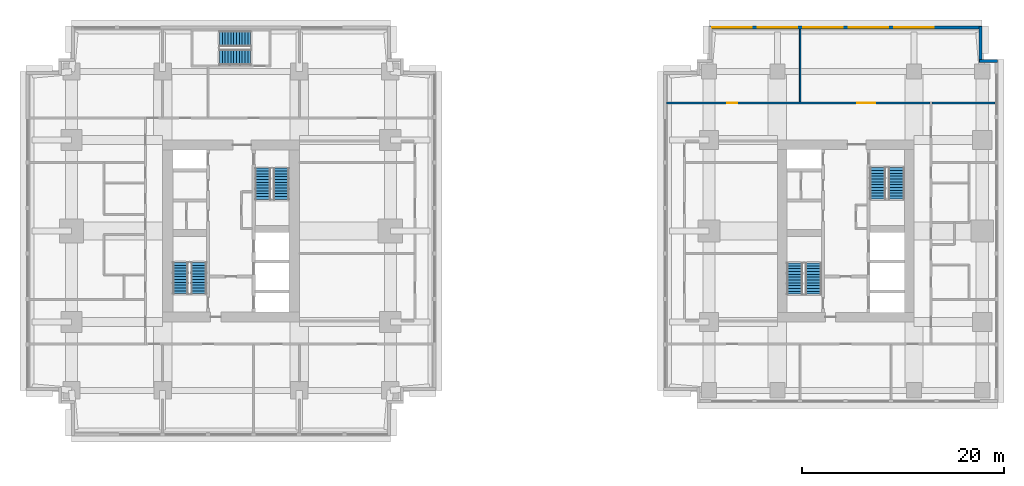
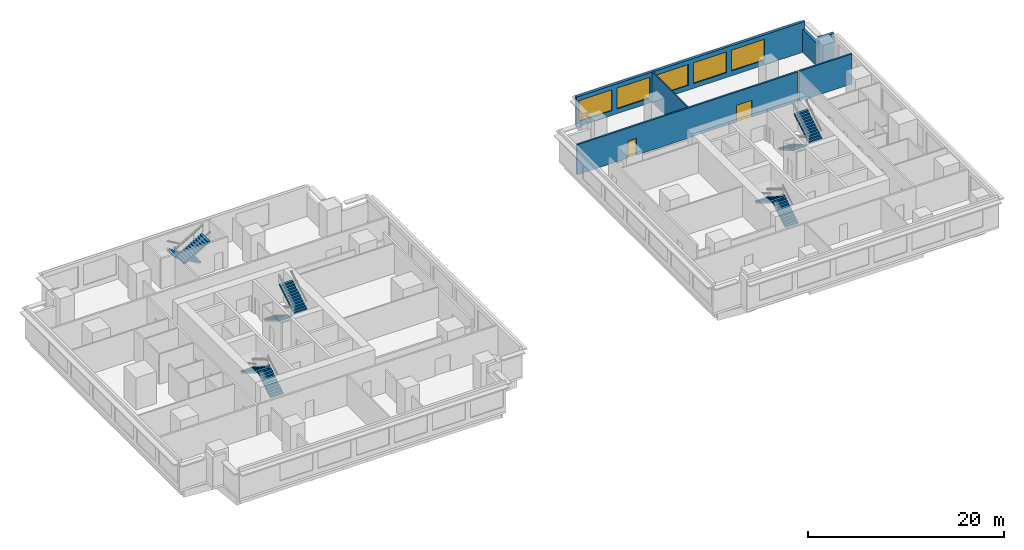
# One storey, part 8 of 10: 10 stair flights, 6 walls, 5 windows, 2 doors, 7 openings, 5 elements without a shape of their own.
"""IFC4 building model written with IfcOpenShell, lengths in metres."""

from ifc_helpers import new_model, si_unit, direction, frame, frame_2d, origin, place, context, subcontext, project, spatial, polyline, rectangle, outline, extrude, material, layer, layer_set, type_object, element, fill, aggregate, save


model = new_model("IFC4")

# Units and contexts
model_context = context("Model", 3, precision=1e-05, world=origin(), true_north=direction((0.0, 1.0)))
body_context = subcontext(model_context, "Body", "Model", "MODEL_VIEW")
ifc_project = project(units=[si_unit("LENGTHUNIT", "METRE"), si_unit("AREAUNIT", "SQUARE_METRE"), si_unit("VOLUMEUNIT", "CUBIC_METRE"), si_unit("PLANEANGLEUNIT", "RADIAN"), si_unit("MASSUNIT", "GRAM", prefix="KILO")], contexts=[model_context])

# Site, building, storey
site_placement = place(None, origin())
site = spatial("IfcSite", under=ifc_project, at=site_placement, CompositionType="ELEMENT")
building_placement = place(site_placement, origin())
building = spatial("IfcBuilding", under=site, at=building_placement, Name="Namib Vertical Campus", CompositionType="ELEMENT")
storey_placement = place(building_placement, frame((0.0, 0.0, 145.0)))
storey = spatial("IfcBuildingStorey", under=building, at=storey_placement, Name="L34", CompositionType="ELEMENT", Elevation=145.0)

# Wall, openings, doors
ifc_material_1 = material(Name="Concrete masonry", Category="masonry")
ifc_layer_1 = layer(ifc_material_1, 0.199951171875)
ifc_layer_set_1 = layer_set([ifc_layer_1], Name="Corridor wall 200")
wall_type_1 = type_object("IfcWallType", Name="Corridor wall 200", PredefinedType="SOLIDWALL", material=ifc_layer_set_1)
wall_1_placement = place(storey_placement, frame((89.35009765625, 32.89990234375, 0.0), z_axis=(0.0, 0.0, 1.0), x_axis=(-1.0, 0.0, 0.0)))
wall_1 = element("IfcWall", 1, at=wall_1_placement, inside=storey, type_object=wall_type_1, Name="Corridor wall B L34 CN", PredefinedType="SOLIDWALL", context=body_context, shape_type="SweptSolid", body=[
    extrude(rectangle(XDim=26.050048828125, YDim=0.199951171875, at=frame_2d((13.02490234375, 0.0))), origin(), (0.0, 0.0, 1.0), 3.75),
])
opening_1_placement = place(wall_1_placement, frame((19.050048828125, 0.0, 0.0)))
opening_1 = element("IfcOpeningElement", 2, at=opening_1_placement, cuts=wall_1, Name="Opening CD1", PredefinedType="OPENING", context=body_context, shape_type="SweptSolid", body=[
    extrude(rectangle(XDim=1.0, YDim=2.10009765625, at=frame_2d((0.5, 1.050048828125))), frame((0.0, 0.10986328125, 0.0), z_axis=(0.0, -1.0, 0.0), x_axis=(1.0, 0.0, 0.0)), (0.0, 0.0, 1.0), 0.219970703125),
])
opening_2_placement = place(wall_1_placement, frame((5.425048828125, 0.0, 0.0)))
opening_2 = element("IfcOpeningElement", 3, at=opening_2_placement, cuts=wall_1, Name="Opening CD2", PredefinedType="OPENING", context=body_context, shape_type="SweptSolid", body=[
    extrude(rectangle(XDim=1.800048828125, YDim=2.10009765625, at=frame_2d((0.89990234375, 1.050048828125))), frame((0.0, 0.10986328125, 0.0), z_axis=(0.0, -1.0, 0.0), x_axis=(1.0, 0.0, 0.0)), (0.0, 0.0, 1.0), 0.219970703125),
])
ifc_material_2 = material(Name="Timber fire door leaf", Category="wood")
door_type_1 = type_object("IfcDoorType", Name="Corridor door 1000x2100 20 min", OperationType="SINGLE_SWING_LEFT", PredefinedType="DOOR", material=ifc_material_2)
door_1_placement = place(opening_1_placement, frame((1.0, 0.0, 0.0), z_axis=(0.0, 0.0, 1.0), x_axis=(-1.0, 0.0, 0.0)))
door_1 = element("IfcDoor", 4, at=door_1_placement, inside=storey, type_object=door_type_1, Name="Door CD1 B34-11", OperationType="SINGLE_SWING_RIGHT", OverallHeight=2.10009765625, OverallWidth=1.0, PredefinedType="DOOR", context=body_context, shape_type="SweptSolid", body=[
    extrude(rectangle(XDim=1.0, YDim=2.10009765625, at=frame_2d((0.5, 1.050048828125))), frame((0.0, 0.02490234375, 0.0), z_axis=(0.0, -1.0, 0.0), x_axis=(1.0, 0.0, 0.0)), (0.0, 0.0, 1.0), 0.050048828125),
])
fill(opening_1, door_1)
ifc_material_3 = material(Name="Timber fire door leaf", Category="wood")
door_type_2 = type_object("IfcDoorType", Name="Corridor door double 1800x2100 20 min", OperationType="DOUBLE_DOOR_SINGLE_SWING", PredefinedType="DOOR", material=ifc_material_3)
door_2_placement = place(opening_2_placement, frame((1.800048828125, 0.0, 0.0), z_axis=(0.0, 0.0, 1.0), x_axis=(-1.0, 0.0, 0.0)))
door_2 = element("IfcDoor", 5, at=door_2_placement, inside=storey, type_object=door_type_2, Name="Door CD2 B34-12", OperationType="DOUBLE_DOOR_SINGLE_SWING", OverallHeight=2.10009765625, OverallWidth=1.800048828125, PredefinedType="DOOR", context=body_context, shape_type="SweptSolid", body=[
    extrude(rectangle(XDim=1.800048828125, YDim=2.10009765625, at=frame_2d((0.89990234375, 1.050048828125))), frame((0.0, 0.02490234375, 0.0), z_axis=(0.0, -1.0, 0.0), x_axis=(1.0, 0.0, 0.0)), (0.0, 0.0, 1.0), 0.050048828125),
])
fill(opening_2, door_2)

# Walls
wall_2_placement = place(storey_placement, frame((89.550048828125, 32.89990234375, 0.0), z_axis=(0.0, 0.0, 1.0), x_axis=(1.0, 0.0, 0.0)))
element("IfcWall", 6, at=wall_2_placement, inside=storey, type_object=wall_type_1, Name="Partition B L34 BNE", PredefinedType="SOLIDWALL", context=body_context, shape_type="SweptSolid", body=[
    extrude(rectangle(XDim=6.199951171875, YDim=0.199951171875, at=frame_2d((3.10009765625, 0.0))), origin(), (0.0, 0.0, 1.0), 3.75),
])
ifc_material_4 = material(Name="Concrete C40/50", Category="concrete")
ifc_layer_2 = layer(ifc_material_4, 0.300048828125)
ifc_layer_set_2 = layer_set([ifc_layer_2], Name="Concrete C40/50")
wall_type_2 = type_object("IfcWallType", Name="External wall 300 board-marked concrete", PredefinedType="STANDARD", material=ifc_layer_set_2)
wall_3_placement = place(storey_placement, frame((96.030029296875, 37.050048828125, 0.0), z_axis=(0.0, 0.0, 1.0), x_axis=(-1.0, 0.0, 0.0)))
element("IfcWall", 7, at=wall_3_placement, inside=storey, type_object=wall_type_2, Name="External wall L34 F05", PredefinedType="STANDARD", context=body_context, shape_type="SweptSolid", body=[
    extrude(rectangle(XDim=1.81005859375, YDim=0.300048828125, at=frame_2d((0.905029296875, 0.0))), origin(), (0.0, 0.0, 1.0), 3.75),
])
wall_4_placement = place(storey_placement, frame((94.35009765625, 36.919921875, 0.0), z_axis=(0.0, 0.0, 1.0), x_axis=(0.0, 1.0, 0.0)))
element("IfcWall", 8, at=wall_4_placement, inside=storey, type_object=wall_type_2, Name="External wall L34 F06", PredefinedType="STANDARD", context=body_context, shape_type="SweptSolid", body=[
    extrude(rectangle(XDim=3.56005859375, YDim=0.300048828125, at=frame_2d((1.780029296875, 0.0))), origin(), (0.0, 0.0, 1.0), 2.85009765625),
])

# Wall, openings, windows
wall_5_placement = place(storey_placement, frame((94.47998046875, 40.35009765625, 0.0), z_axis=(0.0, 0.0, 1.0), x_axis=(-1.0, 0.0, 0.0)))
wall_5 = element("IfcWall", 9, at=wall_5_placement, inside=storey, type_object=wall_type_2, Name="External wall L34 F07", PredefinedType="STANDARD", context=body_context, shape_type="SweptSolid", body=[
    extrude(rectangle(XDim=26.9599609375, YDim=0.300048828125, at=frame_2d((13.47998046875, 0.0))), origin(), (0.0, 0.0, 1.0), 3.75),
])
opening_3_placement = place(wall_5_placement, frame((22.780029296875, 0.0, 0.60009765625)))
opening_3 = element("IfcOpeningElement", 10, at=opening_3_placement, cuts=wall_5, Name="Opening W2", PredefinedType="OPENING", context=body_context, shape_type="SweptSolid", body=[
    extrude(rectangle(XDim=3.89990234375, YDim=2.60009765625, at=frame_2d((1.949951171875, 1.300048828125))), frame((0.0, 0.159912109375, 0.0), z_axis=(0.0, -1.0, 0.0), x_axis=(1.0, 0.0, 0.0)), (0.0, 0.0, 1.0), 0.320068359375),
])
opening_4_placement = place(wall_5_placement, frame((18.280029296875, 0.0, 0.60009765625)))
opening_4 = element("IfcOpeningElement", 11, at=opening_4_placement, cuts=wall_5, Name="Opening W2", PredefinedType="OPENING", context=body_context, shape_type="SweptSolid", body=[
    extrude(rectangle(XDim=3.89990234375, YDim=2.60009765625, at=frame_2d((1.949951171875, 1.300048828125))), frame((0.0, 0.159912109375, 0.0), z_axis=(0.0, -1.0, 0.0), x_axis=(1.0, 0.0, 0.0)), (0.0, 0.0, 1.0), 0.320068359375),
])
opening_5_placement = place(wall_5_placement, frame((13.780029296875, 0.0, 0.60009765625)))
opening_5 = element("IfcOpeningElement", 12, at=opening_5_placement, cuts=wall_5, Name="Opening W2", PredefinedType="OPENING", context=body_context, shape_type="SweptSolid", body=[
    extrude(rectangle(XDim=3.89990234375, YDim=2.60009765625, at=frame_2d((1.949951171875, 1.300048828125))), frame((0.0, 0.159912109375, 0.0), z_axis=(0.0, -1.0, 0.0), x_axis=(1.0, 0.0, 0.0)), (0.0, 0.0, 1.0), 0.320068359375),
])
opening_6_placement = place(wall_5_placement, frame((9.280029296875, 0.0, 0.60009765625)))
opening_6 = element("IfcOpeningElement", 13, at=opening_6_placement, cuts=wall_5, Name="Opening W2", PredefinedType="OPENING", context=body_context, shape_type="SweptSolid", body=[
    extrude(rectangle(XDim=3.89990234375, YDim=2.60009765625, at=frame_2d((1.949951171875, 1.300048828125))), frame((0.0, 0.159912109375, 0.0), z_axis=(0.0, -1.0, 0.0), x_axis=(1.0, 0.0, 0.0)), (0.0, 0.0, 1.0), 0.320068359375),
])
opening_7_placement = place(wall_5_placement, frame((4.780029296875, 0.0, 0.60009765625)))
opening_7 = element("IfcOpeningElement", 14, at=opening_7_placement, cuts=wall_5, Name="Opening W2", PredefinedType="OPENING", context=body_context, shape_type="SweptSolid", body=[
    extrude(rectangle(XDim=3.89990234375, YDim=2.60009765625, at=frame_2d((1.949951171875, 1.300048828125))), frame((0.0, 0.159912109375, 0.0), z_axis=(0.0, -1.0, 0.0), x_axis=(1.0, 0.0, 0.0)), (0.0, 0.0, 1.0), 0.320068359375),
])
ifc_material_5 = material(Name="Dark tinted glass in black aluminium frame", Category="aluminium")
window_type = type_object("IfcWindowType", Name="Ribbon window 3900x2600", PartitioningType="SINGLE_PANEL", PredefinedType="WINDOW", material=ifc_material_5)
window_1_placement = place(opening_3_placement, origin())
window_1 = element("IfcWindow", 15, at=window_1_placement, inside=storey, type_object=window_type, Name="Window W2 L34 F07-1", OverallHeight=2.60009765625, OverallWidth=3.89990234375, PartitioningType="SINGLE_PANEL", PredefinedType="WINDOW", context=body_context, shape_type="SweptSolid", body=[
    extrude(rectangle(XDim=3.89990234375, YDim=2.60009765625, at=frame_2d((1.949951171875, 1.300048828125))), frame((0.0, 0.030029296875, 0.0), z_axis=(0.0, -1.0, 0.0), x_axis=(1.0, 0.0, 0.0)), (0.0, 0.0, 1.0), 0.06005859375),
])
fill(opening_3, window_1)
window_2_placement = place(opening_4_placement, origin())
window_2 = element("IfcWindow", 16, at=window_2_placement, inside=storey, type_object=window_type, Name="Window W2 L34 F07-2", OverallHeight=2.60009765625, OverallWidth=3.89990234375, PartitioningType="SINGLE_PANEL", PredefinedType="WINDOW", context=body_context, shape_type="SweptSolid", body=[
    extrude(rectangle(XDim=3.89990234375, YDim=2.60009765625, at=frame_2d((1.949951171875, 1.300048828125))), frame((0.0, 0.030029296875, 0.0), z_axis=(0.0, -1.0, 0.0), x_axis=(1.0, 0.0, 0.0)), (0.0, 0.0, 1.0), 0.06005859375),
])
fill(opening_4, window_2)
window_3_placement = place(opening_5_placement, origin())
window_3 = element("IfcWindow", 17, at=window_3_placement, inside=storey, type_object=window_type, Name="Window W2 L34 F07-3", OverallHeight=2.60009765625, OverallWidth=3.89990234375, PartitioningType="SINGLE_PANEL", PredefinedType="WINDOW", context=body_context, shape_type="SweptSolid", body=[
    extrude(rectangle(XDim=3.89990234375, YDim=2.60009765625, at=frame_2d((1.949951171875, 1.300048828125))), frame((0.0, 0.030029296875, 0.0), z_axis=(0.0, -1.0, 0.0), x_axis=(1.0, 0.0, 0.0)), (0.0, 0.0, 1.0), 0.06005859375),
])
fill(opening_5, window_3)
window_4_placement = place(opening_6_placement, origin())
window_4 = element("IfcWindow", 18, at=window_4_placement, inside=storey, type_object=window_type, Name="Window W2 L34 F07-4", OverallHeight=2.60009765625, OverallWidth=3.89990234375, PartitioningType="SINGLE_PANEL", PredefinedType="WINDOW", context=body_context, shape_type="SweptSolid", body=[
    extrude(rectangle(XDim=3.89990234375, YDim=2.60009765625, at=frame_2d((1.949951171875, 1.300048828125))), frame((0.0, 0.030029296875, 0.0), z_axis=(0.0, -1.0, 0.0), x_axis=(1.0, 0.0, 0.0)), (0.0, 0.0, 1.0), 0.06005859375),
])
fill(opening_6, window_4)
window_5_placement = place(opening_7_placement, origin())
window_5 = element("IfcWindow", 19, at=window_5_placement, inside=storey, type_object=window_type, Name="Window W2 L34 F07-5", OverallHeight=2.60009765625, OverallWidth=3.89990234375, PartitioningType="SINGLE_PANEL", PredefinedType="WINDOW", context=body_context, shape_type="SweptSolid", body=[
    extrude(rectangle(XDim=3.89990234375, YDim=2.60009765625, at=frame_2d((1.949951171875, 1.300048828125))), frame((0.0, 0.030029296875, 0.0), z_axis=(0.0, -1.0, 0.0), x_axis=(1.0, 0.0, 0.0)), (0.0, 0.0, 1.0), 0.06005859375),
])
fill(opening_7, window_5)

# Wall
ifc_material_6 = material(Name="Gypsum board on steel studs", Category="steel")
ifc_layer_3 = layer(ifc_material_6, 0.14990234375)
ifc_layer_set_3 = layer_set([ifc_layer_3], Name="Gypsum board on steel studs")
wall_type_3 = type_object("IfcWallType", Name="Partition 150", PredefinedType="PARTITIONING", material=ifc_layer_set_3)
wall_6_placement = place(storey_placement, frame((76.5, 33.0, 0.0), z_axis=(0.0, 0.0, 1.0), x_axis=(0.0, 1.0, 0.0)))
element("IfcWall", 20, at=wall_6_placement, inside=storey, type_object=wall_type_3, Name="Partition B L34 PN1", PredefinedType="PARTITIONING", context=body_context, shape_type="SweptSolid", body=[
    extrude(rectangle(XDim=7.199951171875, YDim=0.14990234375, at=frame_2d((3.60009765625, 0.0))), origin(), (0.0, 0.0, 1.0), 3.75),
])

# Stair, stair flights
ifc_material_7 = material(Name="Concrete C40/50 precast", Category="concrete")
stair_type_1 = type_object("IfcStairType", Name="Exit stair 4000 rise 24 risers 3350 wide", PredefinedType="HALF_TURN_STAIR", material=ifc_material_7)
stair_1_placement = place(storey_placement, origin())
stair_1 = element("IfcStair", 21, at=stair_1_placement, inside=storey, type_object=stair_type_1, Name="Exit stair A-S1 L34", PredefinedType="HALF_TURN_STAIR")
ifc_material_8 = material(Name="Concrete C40/50 precast", Category="concrete")
stair_flight_type_1 = type_object("IfcStairFlightType", Name="Stair flight 12 risers 167 1525 wide", PredefinedType="STRAIGHT", material=ifc_material_8)
stair_flight_1_placement = place(storey_placement, frame((17.08740234375, 14.050048828125, 0.0), z_axis=(0.0, 0.0, 1.0), x_axis=(0.0, 1.0, 0.0)))
stair_flight_1 = element("IfcStairFlight", 22, at=stair_flight_1_placement, type_object=stair_flight_type_1, Name="A-S1 flight 1", NumberOfRisers=12, NumberOfTreads=11, PredefinedType="STRAIGHT", RiserHeight=0.166666667, TreadLength=0.28, context=body_context, shape_type="SweptSolid", body=[
    extrude(outline(polyline([(0.0, 0.0), (0.0, 0.166748046875), (0.280029296875, 0.166748046875), (0.280029296875, 0.333251953125), (0.56005859375, 0.333251953125), (0.56005859375, 0.5), (0.840087890625, 0.5), (0.840087890625, 0.666748046875), (1.1201171875, 0.666748046875), (1.1201171875, 0.833251953125), (1.39990234375, 0.833251953125), (1.39990234375, 1.0), (1.679931640625, 1.0), (1.679931640625, 1.166748046875), (1.9599609375, 1.166748046875), (1.9599609375, 1.333251953125), (2.239990234375, 1.333251953125), (2.239990234375, 1.5), (2.52001953125, 1.5), (2.52001953125, 1.666748046875), (2.800048828125, 1.666748046875), (2.800048828125, 1.833251953125), (3.080078125, 1.833251953125), (3.080078125, 2.0), (3.080078125, 1.658935546875), (0.29296875, 0.0), (0.0, 0.0)])), frame((0.0, 0.762451171875, 0.0), z_axis=(0.0, -1.0, 0.0), x_axis=(1.0, 0.0, 0.0)), (0.0, 0.0, 1.0), 1.52490234375),
])
stair_flight_2_placement = place(storey_placement, frame((15.262451171875, 17.1298828125, 2.0), z_axis=(0.0, 0.0, 1.0), x_axis=(0.0, -1.0, 0.0)))
stair_flight_2 = element("IfcStairFlight", 23, at=stair_flight_2_placement, type_object=stair_flight_type_1, Name="A-S1 flight 2", NumberOfRisers=12, NumberOfTreads=11, PredefinedType="STRAIGHT", RiserHeight=0.166666667, TreadLength=0.28, context=body_context, shape_type="SweptSolid", body=[
    extrude(outline(polyline([(0.0, 0.0), (0.0, 0.166748046875), (0.280029296875, 0.166748046875), (0.280029296875, 0.333251953125), (0.56005859375, 0.333251953125), (0.56005859375, 0.5), (0.840087890625, 0.5), (0.840087890625, 0.666748046875), (1.1201171875, 0.666748046875), (1.1201171875, 0.833251953125), (1.39990234375, 0.833251953125), (1.39990234375, 1.0), (1.679931640625, 1.0), (1.679931640625, 1.166748046875), (1.9599609375, 1.166748046875), (1.9599609375, 1.333251953125), (2.239990234375, 1.333251953125), (2.239990234375, 1.5), (2.52001953125, 1.5), (2.52001953125, 1.666748046875), (2.800048828125, 1.666748046875), (2.800048828125, 1.833251953125), (3.080078125, 1.833251953125), (3.080078125, 2.0), (3.080078125, 1.658935546875), (0.29296875, 0.0), (0.0, 0.0)])), frame((0.0, 0.762451171875, 0.0), z_axis=(0.0, -1.0, 0.0), x_axis=(1.0, 0.0, 0.0)), (0.0, 0.0, 1.0), 1.52490234375),
])
aggregate(stair_1, [stair_flight_1, stair_flight_2])

stair_2_placement = place(storey_placement, origin())
stair_2 = element("IfcStair", 24, at=stair_2_placement, inside=storey, type_object=stair_type_1, Name="Exit stair A-S2 L34", PredefinedType="HALF_TURN_STAIR")
stair_flight_3_placement = place(storey_placement, frame((23.41259765625, 26.449951171875, 0.0), z_axis=(0.0, 0.0, 1.0), x_axis=(0.0, -1.0, 0.0)))
stair_flight_3 = element("IfcStairFlight", 25, at=stair_flight_3_placement, type_object=stair_flight_type_1, Name="A-S2 flight 1", NumberOfRisers=12, NumberOfTreads=11, PredefinedType="STRAIGHT", RiserHeight=0.166666667, TreadLength=0.28, context=body_context, shape_type="SweptSolid", body=[
    extrude(outline(polyline([(0.0, 0.0), (0.0, 0.166748046875), (0.280029296875, 0.166748046875), (0.280029296875, 0.333251953125), (0.56005859375, 0.333251953125), (0.56005859375, 0.5), (0.840087890625, 0.5), (0.840087890625, 0.666748046875), (1.1201171875, 0.666748046875), (1.1201171875, 0.833251953125), (1.39990234375, 0.833251953125), (1.39990234375, 1.0), (1.679931640625, 1.0), (1.679931640625, 1.166748046875), (1.9599609375, 1.166748046875), (1.9599609375, 1.333251953125), (2.239990234375, 1.333251953125), (2.239990234375, 1.5), (2.52001953125, 1.5), (2.52001953125, 1.666748046875), (2.800048828125, 1.666748046875), (2.800048828125, 1.833251953125), (3.080078125, 1.833251953125), (3.080078125, 2.0), (3.080078125, 1.658935546875), (0.29296875, 0.0), (0.0, 0.0)])), frame((0.0, 0.762451171875, 0.0), z_axis=(0.0, -1.0, 0.0), x_axis=(1.0, 0.0, 0.0)), (0.0, 0.0, 1.0), 1.52490234375),
])
stair_flight_4_placement = place(storey_placement, frame((25.237548828125, 23.3701171875, 2.0), z_axis=(0.0, 0.0, 1.0), x_axis=(0.0, 1.0, 0.0)))
stair_flight_4 = element("IfcStairFlight", 26, at=stair_flight_4_placement, type_object=stair_flight_type_1, Name="A-S2 flight 2", NumberOfRisers=12, NumberOfTreads=11, PredefinedType="STRAIGHT", RiserHeight=0.166666667, TreadLength=0.28, context=body_context, shape_type="SweptSolid", body=[
    extrude(outline(polyline([(0.0, 0.0), (0.0, 0.166748046875), (0.280029296875, 0.166748046875), (0.280029296875, 0.333251953125), (0.56005859375, 0.333251953125), (0.56005859375, 0.5), (0.840087890625, 0.5), (0.840087890625, 0.666748046875), (1.1201171875, 0.666748046875), (1.1201171875, 0.833251953125), (1.39990234375, 0.833251953125), (1.39990234375, 1.0), (1.679931640625, 1.0), (1.679931640625, 1.166748046875), (1.9599609375, 1.166748046875), (1.9599609375, 1.333251953125), (2.239990234375, 1.333251953125), (2.239990234375, 1.5), (2.52001953125, 1.5), (2.52001953125, 1.666748046875), (2.800048828125, 1.666748046875), (2.800048828125, 1.833251953125), (3.080078125, 1.833251953125), (3.080078125, 2.0), (3.080078125, 1.658935546875), (0.29296875, 0.0), (0.0, 0.0)])), frame((0.0, 0.762451171875, 0.0), z_axis=(0.0, -1.0, 0.0), x_axis=(1.0, 0.0, 0.0)), (0.0, 0.0, 1.0), 1.52490234375),
])
aggregate(stair_2, [stair_flight_3, stair_flight_4])

stair_3_placement = place(storey_placement, origin())
stair_3 = element("IfcStair", 27, at=stair_3_placement, inside=storey, type_object=stair_type_1, Name="Exit stair A-S3 L34", PredefinedType="HALF_TURN_STAIR")
stair_flight_5_placement = place(storey_placement, frame((22.199951171875, 39.237548828125, 0.0), z_axis=(0.0, 0.0, 1.0), x_axis=(-1.0, 0.0, 0.0)))
stair_flight_5 = element("IfcStairFlight", 28, at=stair_flight_5_placement, type_object=stair_flight_type_1, Name="A-S3 flight 1", NumberOfRisers=12, NumberOfTreads=11, PredefinedType="STRAIGHT", RiserHeight=0.166666667, TreadLength=0.28, context=body_context, shape_type="SweptSolid", body=[
    extrude(outline(polyline([(0.0, 0.0), (0.0, 0.166748046875), (0.280029296875, 0.166748046875), (0.280029296875, 0.333251953125), (0.56005859375, 0.333251953125), (0.56005859375, 0.5), (0.840087890625, 0.5), (0.840087890625, 0.666748046875), (1.1201171875, 0.666748046875), (1.1201171875, 0.833251953125), (1.39990234375, 0.833251953125), (1.39990234375, 1.0), (1.679931640625, 1.0), (1.679931640625, 1.166748046875), (1.9599609375, 1.166748046875), (1.9599609375, 1.333251953125), (2.239990234375, 1.333251953125), (2.239990234375, 1.5), (2.52001953125, 1.5), (2.52001953125, 1.666748046875), (2.800048828125, 1.666748046875), (2.800048828125, 1.833251953125), (3.080078125, 1.833251953125), (3.080078125, 2.0), (3.080078125, 1.658935546875), (0.29296875, 0.0), (0.0, 0.0)])), frame((0.0, 0.762451171875, 0.0), z_axis=(0.0, -1.0, 0.0), x_axis=(1.0, 0.0, 0.0)), (0.0, 0.0, 1.0), 1.52490234375),
])
stair_flight_6_placement = place(storey_placement, frame((19.1201171875, 37.41259765625, 2.0), z_axis=(0.0, 0.0, 1.0), x_axis=(1.0, 0.0, 0.0)))
stair_flight_6 = element("IfcStairFlight", 29, at=stair_flight_6_placement, type_object=stair_flight_type_1, Name="A-S3 flight 2", NumberOfRisers=12, NumberOfTreads=11, PredefinedType="STRAIGHT", RiserHeight=0.166666667, TreadLength=0.28, context=body_context, shape_type="SweptSolid", body=[
    extrude(outline(polyline([(0.0, 0.0), (0.0, 0.166748046875), (0.280029296875, 0.166748046875), (0.280029296875, 0.333251953125), (0.56005859375, 0.333251953125), (0.56005859375, 0.5), (0.840087890625, 0.5), (0.840087890625, 0.666748046875), (1.1201171875, 0.666748046875), (1.1201171875, 0.833251953125), (1.39990234375, 0.833251953125), (1.39990234375, 1.0), (1.679931640625, 1.0), (1.679931640625, 1.166748046875), (1.9599609375, 1.166748046875), (1.9599609375, 1.333251953125), (2.239990234375, 1.333251953125), (2.239990234375, 1.5), (2.52001953125, 1.5), (2.52001953125, 1.666748046875), (2.800048828125, 1.666748046875), (2.800048828125, 1.833251953125), (3.080078125, 1.833251953125), (3.080078125, 2.0), (3.080078125, 1.658935546875), (0.29296875, 0.0), (0.0, 0.0)])), frame((0.0, 0.762451171875, 0.0), z_axis=(0.0, -1.0, 0.0), x_axis=(1.0, 0.0, 0.0)), (0.0, 0.0, 1.0), 1.52490234375),
])
aggregate(stair_3, [stair_flight_5, stair_flight_6])

ifc_material_9 = material(Name="Concrete C40/50 precast", Category="concrete")
stair_type_2 = type_object("IfcStairType", Name="Exit stair 4000 rise 24 risers 3400 wide", PredefinedType="HALF_TURN_STAIR", material=ifc_material_9)
stair_4_placement = place(storey_placement, origin())
stair_4 = element("IfcStair", 30, at=stair_4_placement, inside=storey, type_object=stair_type_2, Name="Exit stair B-S1 L34", PredefinedType="HALF_TURN_STAIR")
ifc_material_10 = material(Name="Concrete C40/50 precast", Category="concrete")
stair_flight_type_2 = type_object("IfcStairFlightType", Name="Stair flight 12 risers 167 1550 wide", PredefinedType="STRAIGHT", material=ifc_material_10)
stair_flight_7_placement = place(storey_placement, frame((77.824951171875, 14.0, 0.0), z_axis=(0.0, 0.0, 1.0), x_axis=(0.0, 1.0, 0.0)))
stair_flight_7 = element("IfcStairFlight", 31, at=stair_flight_7_placement, type_object=stair_flight_type_2, Name="B-S1 flight 1", NumberOfRisers=12, NumberOfTreads=11, PredefinedType="STRAIGHT", RiserHeight=0.166666667, TreadLength=0.28, context=body_context, shape_type="SweptSolid", body=[
    extrude(outline(polyline([(0.0, 0.0), (0.0, 0.166748046875), (0.280029296875, 0.166748046875), (0.280029296875, 0.333251953125), (0.56005859375, 0.333251953125), (0.56005859375, 0.5), (0.840087890625, 0.5), (0.840087890625, 0.666748046875), (1.1201171875, 0.666748046875), (1.1201171875, 0.833251953125), (1.39990234375, 0.833251953125), (1.39990234375, 1.0), (1.679931640625, 1.0), (1.679931640625, 1.166748046875), (1.9599609375, 1.166748046875), (1.9599609375, 1.333251953125), (2.239990234375, 1.333251953125), (2.239990234375, 1.5), (2.52001953125, 1.5), (2.52001953125, 1.666748046875), (2.800048828125, 1.666748046875), (2.800048828125, 1.833251953125), (3.080078125, 1.833251953125), (3.080078125, 2.0), (3.080078125, 1.658935546875), (0.29296875, 0.0), (0.0, 0.0)])), frame((0.0, 0.77490234375, 0.0), z_axis=(0.0, -1.0, 0.0), x_axis=(1.0, 0.0, 0.0)), (0.0, 0.0, 1.0), 1.550048828125),
])
stair_flight_8_placement = place(storey_placement, frame((75.97509765625, 17.080078125, 2.0), z_axis=(0.0, 0.0, 1.0), x_axis=(0.0, -1.0, 0.0)))
stair_flight_8 = element("IfcStairFlight", 32, at=stair_flight_8_placement, type_object=stair_flight_type_2, Name="B-S1 flight 2", NumberOfRisers=12, NumberOfTreads=11, PredefinedType="STRAIGHT", RiserHeight=0.166666667, TreadLength=0.28, context=body_context, shape_type="SweptSolid", body=[
    extrude(outline(polyline([(0.0, 0.0), (0.0, 0.166748046875), (0.280029296875, 0.166748046875), (0.280029296875, 0.333251953125), (0.56005859375, 0.333251953125), (0.56005859375, 0.5), (0.840087890625, 0.5), (0.840087890625, 0.666748046875), (1.1201171875, 0.666748046875), (1.1201171875, 0.833251953125), (1.39990234375, 0.833251953125), (1.39990234375, 1.0), (1.679931640625, 1.0), (1.679931640625, 1.166748046875), (1.9599609375, 1.166748046875), (1.9599609375, 1.333251953125), (2.239990234375, 1.333251953125), (2.239990234375, 1.5), (2.52001953125, 1.5), (2.52001953125, 1.666748046875), (2.800048828125, 1.666748046875), (2.800048828125, 1.833251953125), (3.080078125, 1.833251953125), (3.080078125, 2.0), (3.080078125, 1.658935546875), (0.29296875, 0.0), (0.0, 0.0)])), frame((0.0, 0.77490234375, 0.0), z_axis=(0.0, -1.0, 0.0), x_axis=(1.0, 0.0, 0.0)), (0.0, 0.0, 1.0), 1.550048828125),
])
aggregate(stair_4, [stair_flight_7, stair_flight_8])

stair_5_placement = place(storey_placement, origin())
stair_5 = element("IfcStair", 33, at=stair_5_placement, inside=storey, type_object=stair_type_2, Name="Exit stair B-S2 L34", PredefinedType="HALF_TURN_STAIR")
stair_flight_9_placement = place(storey_placement, frame((84.175048828125, 26.5, 0.0), z_axis=(0.0, 0.0, 1.0), x_axis=(0.0, -1.0, 0.0)))
stair_flight_9 = element("IfcStairFlight", 34, at=stair_flight_9_placement, type_object=stair_flight_type_2, Name="B-S2 flight 1", NumberOfRisers=12, NumberOfTreads=11, PredefinedType="STRAIGHT", RiserHeight=0.166666667, TreadLength=0.28, context=body_context, shape_type="SweptSolid", body=[
    extrude(outline(polyline([(0.0, 0.0), (0.0, 0.166748046875), (0.280029296875, 0.166748046875), (0.280029296875, 0.333251953125), (0.56005859375, 0.333251953125), (0.56005859375, 0.5), (0.840087890625, 0.5), (0.840087890625, 0.666748046875), (1.1201171875, 0.666748046875), (1.1201171875, 0.833251953125), (1.39990234375, 0.833251953125), (1.39990234375, 1.0), (1.679931640625, 1.0), (1.679931640625, 1.166748046875), (1.9599609375, 1.166748046875), (1.9599609375, 1.333251953125), (2.239990234375, 1.333251953125), (2.239990234375, 1.5), (2.52001953125, 1.5), (2.52001953125, 1.666748046875), (2.800048828125, 1.666748046875), (2.800048828125, 1.833251953125), (3.080078125, 1.833251953125), (3.080078125, 2.0), (3.080078125, 1.658935546875), (0.29296875, 0.0), (0.0, 0.0)])), frame((0.0, 0.77490234375, 0.0), z_axis=(0.0, -1.0, 0.0), x_axis=(1.0, 0.0, 0.0)), (0.0, 0.0, 1.0), 1.550048828125),
])
stair_flight_10_placement = place(storey_placement, frame((86.02490234375, 23.419921875, 2.0), z_axis=(0.0, 0.0, 1.0), x_axis=(0.0, 1.0, 0.0)))
stair_flight_10 = element("IfcStairFlight", 35, at=stair_flight_10_placement, type_object=stair_flight_type_2, Name="B-S2 flight 2", NumberOfRisers=12, NumberOfTreads=11, PredefinedType="STRAIGHT", RiserHeight=0.166666667, TreadLength=0.28, context=body_context, shape_type="SweptSolid", body=[
    extrude(outline(polyline([(0.0, 0.0), (0.0, 0.166748046875), (0.280029296875, 0.166748046875), (0.280029296875, 0.333251953125), (0.56005859375, 0.333251953125), (0.56005859375, 0.5), (0.840087890625, 0.5), (0.840087890625, 0.666748046875), (1.1201171875, 0.666748046875), (1.1201171875, 0.833251953125), (1.39990234375, 0.833251953125), (1.39990234375, 1.0), (1.679931640625, 1.0), (1.679931640625, 1.166748046875), (1.9599609375, 1.166748046875), (1.9599609375, 1.333251953125), (2.239990234375, 1.333251953125), (2.239990234375, 1.5), (2.52001953125, 1.5), (2.52001953125, 1.666748046875), (2.800048828125, 1.666748046875), (2.800048828125, 1.833251953125), (3.080078125, 1.833251953125), (3.080078125, 2.0), (3.080078125, 1.658935546875), (0.29296875, 0.0), (0.0, 0.0)])), frame((0.0, 0.77490234375, 0.0), z_axis=(0.0, -1.0, 0.0), x_axis=(1.0, 0.0, 0.0)), (0.0, 0.0, 1.0), 1.550048828125),
])
aggregate(stair_5, [stair_flight_9, stair_flight_10])

save(model, "model.ifc")
